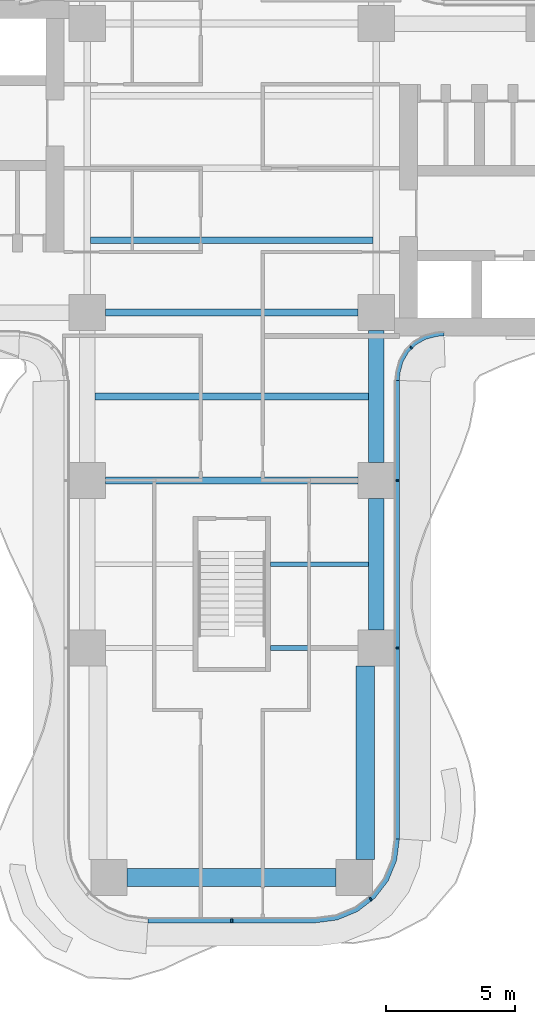
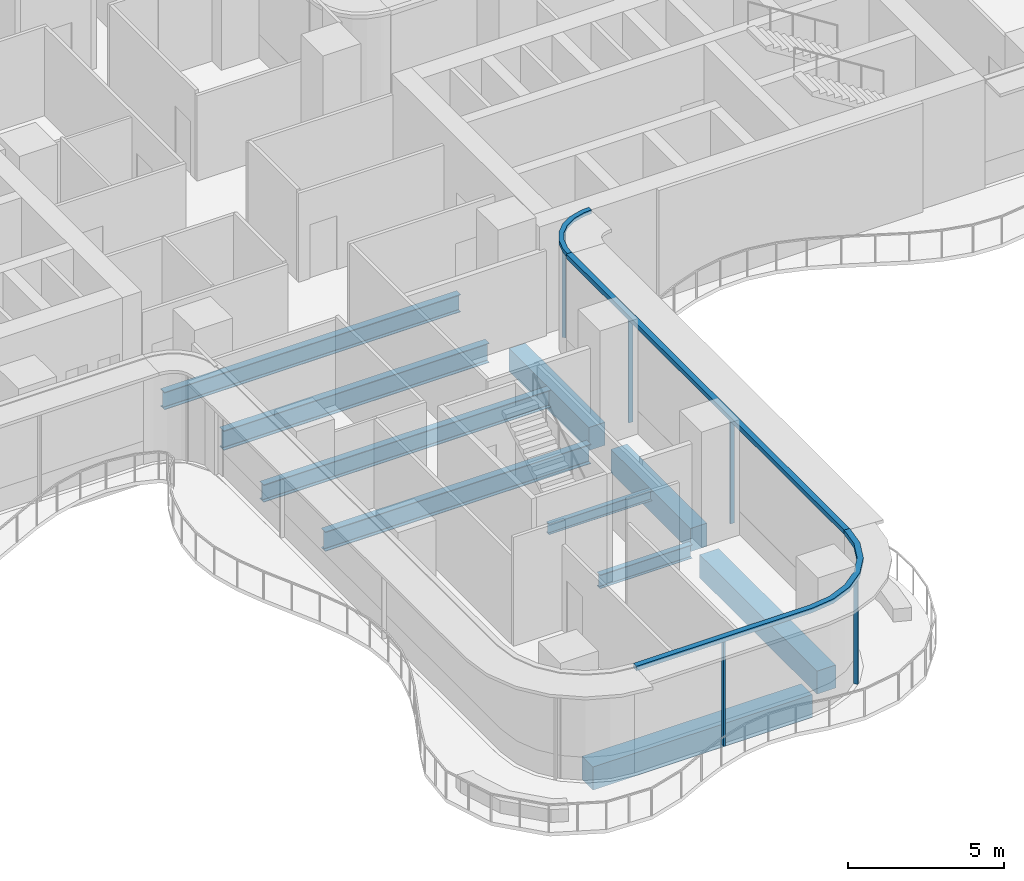
# One storey, part 5 of 22: 10 beams, 8 members, 3 elements without a shape of their own.
"""IFC4 building model written with IfcOpenShell, lengths in metres."""

from ifc_helpers import new_model, si_unit, direction, frame, origin, origin_2d, place, context, subcontext, project, spatial, polyline, rectangle, i_section, outline, extrude, source, transform, mapped, material, layer, layer_set, material_profile, profile_set, type_object, element, aggregate, save


model = new_model("IFC4")

# Units and contexts
model_context = context("Model", 3, precision=1e-05, world=origin(), true_north=direction((0.0, 1.0)))
body_context = subcontext(model_context, "Body", "Model", "MODEL_VIEW")
ifc_project = project(units=[si_unit("LENGTHUNIT", "METRE"), si_unit("AREAUNIT", "SQUARE_METRE"), si_unit("VOLUMEUNIT", "CUBIC_METRE"), si_unit("PLANEANGLEUNIT", "RADIAN"), si_unit("MASSUNIT", "GRAM", prefix="KILO")], contexts=[model_context])

# Site, building, storey
site_placement = place(None, origin())
site = spatial("IfcSite", under=ifc_project, at=site_placement, CompositionType="ELEMENT")
building_placement = place(site_placement, origin())
building = spatial("IfcBuilding", under=site, at=building_placement, Name="Trellis Farm Tower", CompositionType="ELEMENT")
storey_placement = place(building_placement, frame((0.0, 0.0, 79.0)))
storey = spatial("IfcBuildingStorey", under=building, at=storey_placement, Name="L16", CompositionType="ELEMENT", Elevation=79.0)

# Beams
ifc_material_1 = material(Name="Steel S355", Category="steel")
ifc_material_profile_1 = material_profile(ifc_material_1, i_section(OverallWidth=0.253662109375, OverallDepth=0.68359375, WebThickness=0.012451171875, FlangeThickness=0.021728515625, FilletRadius=0.01513671875, at=origin_2d()), Name="UB 686x254x140")
ifc_profile_set_1 = profile_set([ifc_material_profile_1], Name="Steel S355")
beam_type_1 = type_object("IfcBeamType", Name="UB 686x254x140 joist", PredefinedType="JOIST", material=ifc_profile_set_1)
shared_shape_1 = source(origin(), body_context, "Body", "SweptSolid", [
    extrude(i_section(OverallWidth=0.253662109375, OverallDepth=0.68359375, WebThickness=0.012451171875, FlangeThickness=0.021728515625, FilletRadius=0.01513671875, at=origin_2d()), origin(), (0.0, 0.0, 1.0), 10.93310546875),
])
beam_1_placement = place(storey_placement, frame((-5.466552734375, -2.800048828125, -0.591796875), z_axis=(1.0, 0.0, 0.0), x_axis=(0.0, 1.0, 0.0)))
element("IfcBeam", 1, at=beam_1_placement, inside=storey, type_object=beam_type_1, Name="Floor beam", PredefinedType="JOIST", context=body_context, shape_type="MappedRepresentation", body=[
    mapped(shared_shape_1, transform((0.0, 0.0, 0.0))),
])
ifc_material_profile_2 = material_profile(ifc_material_1, i_section(OverallWidth=0.209228515625, OverallDepth=0.533203125, WebThickness=0.010009765625, FlangeThickness=0.015625, FilletRadius=0.0126953125, at=origin_2d()), Name="UB 533x210x92")
ifc_profile_set_2 = profile_set([ifc_material_profile_2], Name="Steel S355")
beam_type_2 = type_object("IfcBeamType", Name="UB 533x210x92", PredefinedType="BEAM", material=ifc_profile_set_2)
shared_shape_2 = source(origin(), body_context, "Body", "SweptSolid", [
    extrude(i_section(OverallWidth=0.209228515625, OverallDepth=0.533203125, WebThickness=0.010009765625, FlangeThickness=0.015625, FilletRadius=0.0126953125, at=origin_2d()), origin(), (0.0, 0.0, 1.0), 3.39990234375),
])
beam_2_placement = place(storey_placement, frame((1.5, -18.60009765625, -0.5166015625), z_axis=(1.0, 0.0, 0.0), x_axis=(0.0, 1.0, 0.0)))
element("IfcBeam", 2, at=beam_2_placement, inside=storey, type_object=beam_type_2, Name="Girder", PredefinedType="BEAM", context=body_context, shape_type="MappedRepresentation", body=[
    mapped(shared_shape_2, transform((0.0, 0.0, 0.0))),
])
ifc_material_2 = material(Name="Concrete C60/75", Category="concrete")
ifc_material_profile_3 = material_profile(ifc_material_2, rectangle(XDim=0.60009765625, YDim=0.89990234375, at=origin_2d()), Name="RC spandrel beam 600x900 C60/75")
ifc_profile_set_3 = profile_set([ifc_material_profile_3], Name="Concrete C60/75")
beam_type_3 = type_object("IfcBeamType", Name="RC spandrel beam 600x900 C60/75", PredefinedType="SPANDREL", material=ifc_profile_set_3)
shared_shape_3 = source(origin(), body_context, "Body", "SweptSolid", [
    extrude(rectangle(XDim=0.60009765625, YDim=0.89990234375, at=origin_2d()), origin(), (0.0, 0.0, 1.0), 5.099853515625),
])
for number, where, z_axis, x_axis, name in (
    (3, (5.60009765625, -17.89990234375, -0.699951171875), (0.0, 1.0, 0.0), (-1.0, 0.0, 0.0), "Girder"),
    (4, (5.60009765625, -11.39990234375, -0.699951171875), (0.0, 1.0, 0.0), (-1.0, 0.0, 0.0), "Girder"),
):
    element("IfcBeam", number, at=place(storey_placement, frame(where, z_axis=z_axis, x_axis=x_axis)), inside=storey, type_object=beam_type_3, Name=name, PredefinedType="SPANDREL", context=body_context, shape_type="MappedRepresentation", body=[
        mapped(shared_shape_3, transform((0.0, 0.0, 0.0))),
    ])
ifc_material_profile_4 = material_profile(ifc_material_1, i_section(OverallWidth=0.2666015625, OverallDepth=0.76220703125, WebThickness=0.014404296875, FlangeThickness=0.021484375, FilletRadius=0.0166015625, at=origin_2d()), Name="UB 762x267x173")
ifc_profile_set_4 = profile_set([ifc_material_profile_4], Name="Steel S355")
beam_type_4 = type_object("IfcBeamType", Name="UB 762x267x173", PredefinedType="BEAM", material=ifc_profile_set_4)
shared_shape_4 = source(origin(), body_context, "Body", "SweptSolid", [
    extrude(i_section(OverallWidth=0.2666015625, OverallDepth=0.76220703125, WebThickness=0.014404296875, FlangeThickness=0.021484375, FilletRadius=0.0166015625, at=origin_2d()), origin(), (0.0, 0.0, 1.0), 9.7998046875),
])
for number, where, z_axis, x_axis, name in (
    (5, (-4.89990234375, -12.10009765625, -0.631103515625), (1.0, 0.0, 0.0), (0.0, 1.0, 0.0), "Girder"),
    (6, (-4.89990234375, -5.60009765625, -0.631103515625), (1.0, 0.0, 0.0), (0.0, 1.0, 0.0), "Girder"),
):
    element("IfcBeam", number, at=place(storey_placement, frame(where, z_axis=z_axis, x_axis=x_axis)), inside=storey, type_object=beam_type_4, Name=name, PredefinedType="BEAM", context=body_context, shape_type="MappedRepresentation", body=[
        mapped(shared_shape_4, transform((0.0, 0.0, 0.0))),
    ])
ifc_material_profile_5 = material_profile(ifc_material_2, rectangle(XDim=0.699951171875, YDim=0.89990234375, at=origin_2d()), Name="RC spandrel beam 700x900 C60/75")
ifc_profile_set_5 = profile_set([ifc_material_profile_5], Name="Concrete C60/75")
beam_type_5 = type_object("IfcBeamType", Name="RC spandrel beam 700x900 C60/75", PredefinedType="SPANDREL", material=ifc_profile_set_5)
shared_shape_5 = source(origin(), body_context, "Body", "SweptSolid", [
    extrude(rectangle(XDim=0.699951171875, YDim=0.89990234375, at=origin_2d()), origin(), (0.0, 0.0, 1.0), 8.10009765625),
])
beam_3_placement = place(storey_placement, frame((-4.050048828125, -27.5, -0.699951171875), z_axis=(1.0, 0.0, 0.0), x_axis=(0.0, 1.0, 0.0)))
element("IfcBeam", 7, at=beam_3_placement, inside=storey, type_object=beam_type_5, Name="Girder", PredefinedType="SPANDREL", context=body_context, shape_type="MappedRepresentation", body=[
    mapped(shared_shape_5, transform((0.0, 0.0, 0.0))),
])
shared_shape_6 = source(origin(), body_context, "Body", "SweptSolid", [
    extrude(rectangle(XDim=0.699951171875, YDim=0.89990234375, at=origin_2d()), origin(), (0.0, 0.0, 1.0), 7.5),
])
beam_4_placement = place(storey_placement, frame((5.175048828125, -26.800048828125, -0.699951171875), z_axis=(0.0, 1.0, 0.0), x_axis=(-1.0, 0.0, 0.0)))
element("IfcBeam", 8, at=beam_4_placement, inside=storey, type_object=beam_type_5, Name="Girder", PredefinedType="SPANDREL", context=body_context, shape_type="MappedRepresentation", body=[
    mapped(shared_shape_6, transform((0.0, 0.0, 0.0))),
])
ifc_material_profile_6 = material_profile(ifc_material_1, i_section(OverallWidth=0.177978515625, OverallDepth=0.406494140625, WebThickness=0.0078125, FlangeThickness=0.0126953125, FilletRadius=0.01025390625, at=origin_2d()), Name="UB 406x178x60")
ifc_profile_set_6 = profile_set([ifc_material_profile_6], Name="Steel S355")
beam_type_6 = type_object("IfcBeamType", Name="UB 406x178x60 joist", PredefinedType="JOIST", material=ifc_profile_set_6)
shared_shape_7 = source(origin(), body_context, "Body", "SweptSolid", [
    extrude(i_section(OverallWidth=0.177978515625, OverallDepth=0.406494140625, WebThickness=0.0078125, FlangeThickness=0.0126953125, FilletRadius=0.01025390625, at=origin_2d()), origin(), (0.0, 0.0, 1.0), 3.800048828125),
])
beam_5_placement = place(storey_placement, frame((1.5, -15.35009765625, -0.453125), z_axis=(1.0, 0.0, 0.0), x_axis=(0.0, 1.0, 0.0)))
element("IfcBeam", 9, at=beam_5_placement, inside=storey, type_object=beam_type_6, Name="Floor beam", PredefinedType="JOIST", context=body_context, shape_type="MappedRepresentation", body=[
    mapped(shared_shape_7, transform((0.0, 0.0, 0.0))),
])
shared_shape_8 = source(origin(), body_context, "Body", "SweptSolid", [
    extrude(i_section(OverallWidth=0.253662109375, OverallDepth=0.68359375, WebThickness=0.012451171875, FlangeThickness=0.021728515625, FilletRadius=0.01513671875, at=origin_2d()), origin(), (0.0, 0.0, 1.0), 10.60009765625),
])
beam_6_placement = place(storey_placement, frame((-5.300048828125, -8.85009765625, -0.591796875), z_axis=(1.0, 0.0, 0.0), x_axis=(0.0, 1.0, 0.0)))
element("IfcBeam", 10, at=beam_6_placement, inside=storey, type_object=beam_type_1, Name="Floor beam", PredefinedType="JOIST", context=body_context, shape_type="MappedRepresentation", body=[
    mapped(shared_shape_8, transform((0.0, 0.0, 0.0))),
])

# Curtain wall, members
ifc_material_3 = material(Name="Aluminium and glass curtain wall", Category="aluminium")
ifc_layer_1 = layer(ifc_material_3, 0.18994140625)
ifc_layer_set_1 = layer_set([ifc_layer_1], Name="RIBBON CURTAIN WALL CW1")
curtain_wall_type_1 = type_object("IfcCurtainWallType", Name="RIBBON CURTAIN WALL CW1", PredefinedType="NOTDEFINED", material=ifc_layer_set_1)
placement_1 = place(storey_placement, origin())
curtain_wall_1 = element("IfcCurtainWall", 11, at=placement_1, inside=storey, type_object=curtain_wall_type_1, Name="CW1 003", PredefinedType="NOTDEFINED")
ifc_material_4 = material(Name="Aluminium extrusion 6063-T6", Category="aluminium")
ifc_material_profile_7 = material_profile(ifc_material_4, rectangle(XDim=0.06005859375, YDim=0.14990234375, at=origin_2d()), Name="MULLION 60x150")
ifc_profile_set_7 = profile_set([ifc_material_profile_7], Name="Aluminium extrusion 6063-T6")
member_type_1 = type_object("IfcMemberType", Name="CW1 MULLION 60x150", PredefinedType="MULLION", material=ifc_profile_set_7)
shared_shape_9 = source(origin(), body_context, "Body", "SweptSolid", [
    extrude(rectangle(XDim=0.06005859375, YDim=0.14990234375, at=origin_2d()), origin(), (0.0, 0.0, 1.0), 4.070068359375),
])
member_1_placement = place(storey_placement, frame((0.0, -29.175048828125, 0.0), z_axis=(0.0, 0.0, 1.0), x_axis=(1.0, 0.0, 0.0)))
member_1 = element("IfcMember", 12, at=member_1_placement, type_object=member_type_1, Name="MU1 003-01", PredefinedType="MULLION", context=body_context, shape_type="MappedRepresentation", body=[
    mapped(shared_shape_9, transform((0.0, 0.0, 0.0))),
])
member_2_placement = place(storey_placement, frame((5.385498046875, -28.328369140625, 0.0), z_axis=(0.0, 0.0, 1.0), x_axis=(0.793353340291, 0.608761429009, 0.0)))
member_2 = element("IfcMember", 13, at=member_2_placement, type_object=member_type_1, Name="MU1 003-02", PredefinedType="MULLION", context=body_context, shape_type="MappedRepresentation", body=[
    mapped(shared_shape_9, transform((0.0, 0.0, 0.0))),
])

curtain_wall_2 = element("IfcCurtainWall", 14, at=placement_1, inside=storey, type_object=curtain_wall_type_1, Name="CW1 004", PredefinedType="NOTDEFINED")
member_3_placement = place(storey_placement, frame((6.425048828125, -18.60009765625, 0.0), z_axis=(0.0, 0.0, 1.0), x_axis=(0.0, 1.0, 0.0)))
member_3 = element("IfcMember", 15, at=member_3_placement, type_object=member_type_1, Name="MU1 004-01", PredefinedType="MULLION", context=body_context, shape_type="MappedRepresentation", body=[
    mapped(shared_shape_9, transform((0.0, 0.0, 0.0))),
])
member_4_placement = place(storey_placement, frame((6.425048828125, -12.10009765625, 0.0), z_axis=(0.0, 0.0, 1.0), x_axis=(0.0, 1.0, 0.0)))
member_4 = element("IfcMember", 16, at=member_4_placement, type_object=member_type_1, Name="MU1 004-02", PredefinedType="MULLION", context=body_context, shape_type="MappedRepresentation", body=[
    mapped(shared_shape_9, transform((0.0, 0.0, 0.0))),
])

# Curtain wall, member
ifc_layer_2 = layer(ifc_material_3, 0.166015625)
ifc_layer_set_2 = layer_set([ifc_layer_2], Name="WINTER GARDEN CURTAIN WALL CW3")
curtain_wall_type_2 = type_object("IfcCurtainWallType", Name="WINTER GARDEN CURTAIN WALL CW3", PredefinedType="NOTDEFINED", material=ifc_layer_set_2)
curtain_wall_3 = element("IfcCurtainWall", 17, at=placement_1, inside=storey, type_object=curtain_wall_type_2, Name="CW3 002", PredefinedType="NOTDEFINED")
ifc_material_profile_8 = material_profile(ifc_material_4, rectangle(XDim=0.050048828125, YDim=0.1201171875, at=origin_2d()), Name="MULLION 50x120")
ifc_profile_set_8 = profile_set([ifc_material_profile_8], Name="Aluminium extrusion 6063-T6")
member_type_2 = type_object("IfcMemberType", Name="CW3 MULLION 50x120", PredefinedType="MULLION", material=ifc_profile_set_8)
shared_shape_10 = source(origin(), body_context, "Body", "SweptSolid", [
    extrude(rectangle(XDim=0.050048828125, YDim=0.1201171875, at=origin_2d()), origin(), (0.0, 0.0, 1.0), 4.10009765625),
])
member_5_placement = place(storey_placement, frame((6.953125, -6.953125, 0.0), z_axis=(0.0, 0.0, 1.0), x_axis=(0.707106781187, 0.707106781187, 0.0)))
member_5 = element("IfcMember", 18, at=member_5_placement, type_object=member_type_2, Name="MU3 002-01", PredefinedType="MULLION", context=body_context, shape_type="MappedRepresentation", body=[
    mapped(shared_shape_10, transform((0.0, 0.0, 0.0))),
])

# Member
ifc_layer_3 = layer(ifc_material_4, 0.199951171875)
ifc_layer_set_3 = layer_set([ifc_layer_3], Name="Aluminium extrusion 6063-T6")
member_type_3 = type_object("IfcMemberType", Name="CW1 TRANSOM 200x180", PredefinedType="USERDEFINED", material=ifc_layer_set_3)
shared_shape_11 = source(origin(), body_context, "Body", "SweptSolid", [
    extrude(outline(polyline([(-3.25, -29.25), (3.25, -29.25), (4.091064453125, -29.13916015625), (4.875, -28.814697265625), (5.548095703125, -28.298095703125), (6.064697265625, -27.625), (6.38916015625, -26.841064453125), (6.5, -26.0), (6.300048828125, -25.98681640625), (6.1943359375, -26.7890625), (5.889892578125, -27.524169921875), (5.405517578125, -28.155517578125), (4.774169921875, -28.639892578125), (4.0390625, -28.9443359375), (3.23681640625, -29.050048828125), (-3.23681640625, -29.050048828125), (-3.25, -29.25)])), origin(), (0.0, 0.0, 1.0), 0.179931640625),
])
placement_2 = place(storey_placement, frame((0.0, 0.0, 4.070068359375)))
member_6 = element("IfcMember", 19, at=placement_2, type_object=member_type_3, Name="TR1 003", ObjectType="TRANSOM", PredefinedType="USERDEFINED", context=body_context, shape_type="MappedRepresentation", body=[
    mapped(shared_shape_11, transform((0.0, 0.0, 0.0))),
])

aggregate(curtain_wall_1, [member_1, member_2, member_6])

shared_shape_12 = source(origin(), body_context, "Body", "SweptSolid", [
    extrude(outline(polyline([(6.5, -26.0), (6.5, -8.2314453125), (6.300048828125, -8.224853515625), (6.300048828125, -25.98681640625), (6.5, -26.0)])), origin(), (0.0, 0.0, 1.0), 0.179931640625),
])
member_7 = element("IfcMember", 20, at=placement_2, type_object=member_type_3, Name="TR1 004", ObjectType="TRANSOM", PredefinedType="USERDEFINED", context=body_context, shape_type="MappedRepresentation", body=[
    mapped(shared_shape_12, transform((0.0, 0.0, 0.0))),
])

aggregate(curtain_wall_2, [member_3, member_4, member_7])

ifc_layer_4 = layer(ifc_material_4, 0.169921875)
ifc_layer_set_4 = layer_set([ifc_layer_4], Name="Aluminium extrusion 6063-T6")
member_type_4 = type_object("IfcMemberType", Name="CW3 TRANSOM 170x150", PredefinedType="USERDEFINED", material=ifc_layer_set_4)
shared_shape_13 = source(origin(), body_context, "Body", "SweptSolid", [
    extrude(outline(polyline([(6.5, -8.2314453125), (6.513916015625, -8.01953125), (6.527587890625, -7.91552734375), (6.63671875, -7.508544921875), (6.846923828125, -7.144287109375), (7.144287109375, -6.846923828125), (7.508544921875, -6.63671875), (7.91552734375, -6.527587890625), (8.01953125, -6.513916015625), (8.2314453125, -6.5), (8.225830078125, -6.330078125), (8.0029296875, -6.3447265625), (7.88232421875, -6.360595703125), (7.44287109375, -6.478271484375), (7.0400390625, -6.7109375), (6.7109375, -7.0400390625), (6.478271484375, -7.44287109375), (6.360595703125, -7.88232421875), (6.3447265625, -8.0029296875), (6.330078125, -8.225830078125), (6.5, -8.2314453125)])), origin(), (0.0, 0.0, 1.0), 0.14990234375),
])
member_8_placement = place(storey_placement, frame((0.0, 0.0, 4.10009765625)))
member_8 = element("IfcMember", 21, at=member_8_placement, type_object=member_type_4, Name="TR3 002", ObjectType="TRANSOM", PredefinedType="USERDEFINED", context=body_context, shape_type="MappedRepresentation", body=[
    mapped(shared_shape_13, transform((0.0, 0.0, 0.0))),
])

aggregate(curtain_wall_3, [member_5, member_8])

save(model, "model.ifc")
